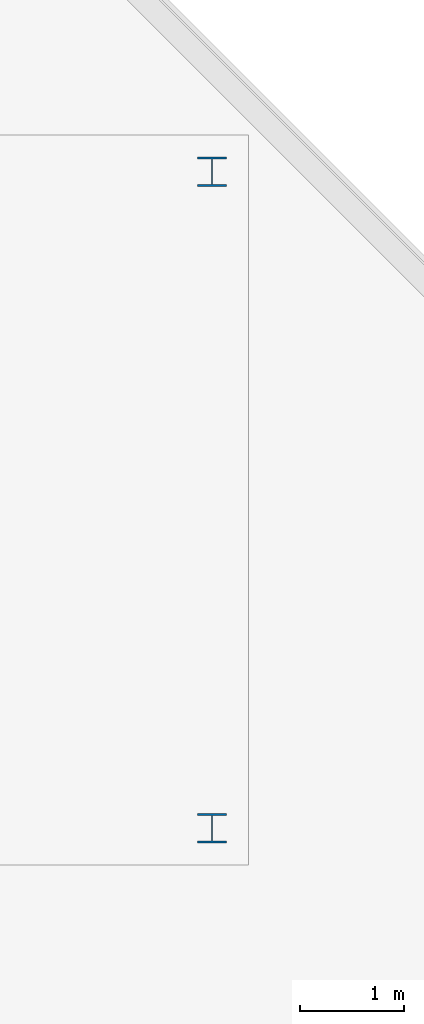
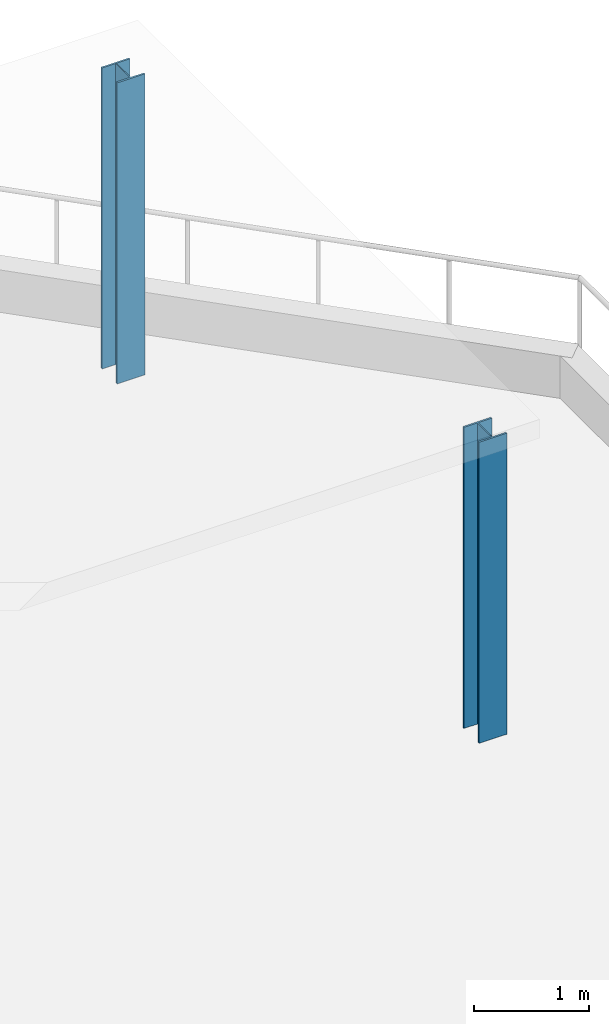
# One storey, part 6 of 23: 2 columns.
"""IFC4 building model written with IfcOpenShell, lengths in metres."""

import ifcopenshell
import ifcopenshell.guid

model = None  # the IFC model being written
_history = None  # IfcOwnerHistory: only IFC2X3 demands one
_inside = {}  # id of a spatial element -> (the spatial element, [elements in it])
_under = {}  # id of a project, library or spatial element -> (it, [spatial elements below it])
_declared = {}  # id of a project -> (the project, [libraries it declares])
_typed = {}  # id of a type object -> (the type object, [elements of that type])
_made_of = {}  # id of a material, layer set ... -> (it, [elements and type objects made of it])


def new_model(schema):
    """Start an empty IFC model of exactly this schema.

    Asked for "IFC4X3", IfcOpenShell would pick the latest addendum, in which some entities
    have other attributes; the version numbers below select the first issue.
    IFC2X3 requires an IfcOwnerHistory on every rooted entity: one is made here for all.
    """
    global model, _history
    if schema == "IFC4X3":
        model = ifcopenshell.file(schema_version=(4, 3, 0, 0))
    else:
        model = ifcopenshell.file(schema=schema)
    _inside.clear()
    _under.clear()
    _declared.clear()
    _typed.clear()
    _made_of.clear()
    _history = None
    if model.schema == "IFC2X3":
        org = make("IfcOrganization", Name="unknown")
        user = make(
            "IfcPersonAndOrganization",
            ThePerson=make("IfcPerson", FamilyName="unknown"),
            TheOrganization=org,
        )
        app = make(
            "IfcApplication",
            ApplicationDeveloper=org,
            Version="unknown",
            ApplicationFullName="unknown",
            ApplicationIdentifier="unknown",
        )
        _history = make(
            "IfcOwnerHistory",
            OwningUser=user,
            OwningApplication=app,
            ChangeAction="ADDED",
            CreationDate=0,
        )
    return model


def make(cls, **values):
    """One entity of the class cls with the attributes given. An attribute that is None is left unset."""
    return model.create_entity(
        cls, **{name: value for name, value in values.items() if value is not None}
    )


def rooted(cls, **values):
    """An entity with a GlobalId (a new one), such as an element, a storey or a relation."""
    return make(cls, GlobalId=ifcopenshell.guid.new(), OwnerHistory=_history, **values)


def si_unit(unit_type, name, prefix=None):
    """IfcSIUnit, for example si_unit("LENGTHUNIT", "METRE", prefix="MILLI")."""
    return make("IfcSIUnit", UnitType=unit_type, Prefix=prefix, Name=name)


def assignment(units):
    """IfcUnitAssignment: the units of a project."""
    return None if units is None else make("IfcUnitAssignment", Units=units)


def point(xyz):
    """IfcCartesianPoint."""
    return None if xyz is None else make("IfcCartesianPoint", Coordinates=xyz)


def direction(xyz):
    """IfcDirection."""
    return None if xyz is None else make("IfcDirection", DirectionRatios=xyz)


def frame(location, z_axis=None, x_axis=None):
    """IfcAxis2Placement3D, a coordinate frame: its origin and axes. An axis left out is left unset."""
    return make(
        "IfcAxis2Placement3D",
        Location=point(location),
        Axis=direction(z_axis),
        RefDirection=direction(x_axis),
    )


def frame_2d(location, x_axis=None):
    """IfcAxis2Placement2D, a coordinate frame in the plane: its origin and x axis."""
    return make(
        "IfcAxis2Placement2D", Location=point(location), RefDirection=direction(x_axis)
    )


def origin():
    """The frame at (0, 0, 0) with its axes left unset."""
    return frame((0.0, 0.0, 0.0))


def origin_2d():
    """The frame at (0, 0) in the plane with its x axis left unset."""
    return frame_2d((0.0, 0.0))


def place(relative_to, where):
    """IfcLocalPlacement: puts the frame where relative to a parent placement (None: the world)."""
    return make(
        "IfcLocalPlacement", PlacementRelTo=relative_to, RelativePlacement=where
    )


def context(
    kind, dimensions, precision=None, world=None, true_north=None, identifier=None
):
    """IfcGeometricRepresentationContext, for example the 3D "Model" context."""
    return make(
        "IfcGeometricRepresentationContext",
        ContextIdentifier=identifier,
        ContextType=kind,
        CoordinateSpaceDimension=dimensions,
        Precision=precision,
        WorldCoordinateSystem=world,
        TrueNorth=true_north,
    )


def subcontext(parent, identifier, kind, view, scale=None):
    """IfcGeometricRepresentationSubContext, for example "Body" below "Model"."""
    return make(
        "IfcGeometricRepresentationSubContext",
        ContextIdentifier=identifier,
        ContextType=kind,
        ParentContext=parent,
        TargetScale=scale,
        TargetView=view,
    )


def project(units=None, contexts=None):
    """IfcProject with its units and contexts."""
    return rooted(
        "IfcProject",
        Name="project",
        RepresentationContexts=contexts,
        UnitsInContext=assignment(units),
    )


def spatial(cls, under=None, at=None, **own):
    """A site, building, storey or space (cls), placed at a placement, below another one or the project."""
    s = rooted(cls, ObjectPlacement=at, **own)
    if under is not None:
        _under.setdefault(under.id(), (under, []))[1].append(s)
    return s


def profile(cls, at=None, kind="AREA", **sizes):
    """A parametric profile (cls). Its sizes go by their IFC names, for example OverallWidth=200.0."""
    return make(cls, ProfileType=kind, Position=at, **sizes)


def i_section(**sizes):
    """IfcIShapeProfileDef."""
    return profile("IfcIShapeProfileDef", **sizes)


def extrude(swept, where, along, depth):
    """IfcExtrudedAreaSolid: the profile swept, set in the frame where, extruded along a direction by depth."""
    return make(
        "IfcExtrudedAreaSolid",
        SweptArea=swept,
        Position=where,
        ExtrudedDirection=direction(along),
        Depth=depth,
    )


def shape(context_of_items, identifier, shape_type, items):
    """IfcShapeRepresentation: the items that make up one representation, for example the "Body"."""
    return make(
        "IfcShapeRepresentation",
        ContextOfItems=context_of_items,
        RepresentationIdentifier=identifier,
        RepresentationType=shape_type,
        Items=items,
    )


def material(Name=None, Category=None):
    """IfcMaterial."""
    return make("IfcMaterial", Name=Name, Category=Category)


def material_profile(
    of_material, cross_section, Name=None, Category=None, Priority=None
):
    """IfcMaterialProfile: a cross section and its material."""
    return make(
        "IfcMaterialProfile",
        Name=Name,
        Material=of_material,
        Profile=cross_section,
        Priority=Priority,
        Category=Category,
    )


def profile_set(profiles, Name=None, composite=None):
    """IfcMaterialProfileSet."""
    return make(
        "IfcMaterialProfileSet",
        Name=Name,
        MaterialProfiles=profiles,
        CompositeProfile=composite,
    )


def made_of(thing, what):
    """Note that an element or type object is made of a material, layer set ...; save() writes the relation."""
    if what is not None:
        _made_of.setdefault(what.id(), (what, []))[1].append(thing)
    return thing


def type_object(cls, material=None, **own):
    """A type object (cls), such as IfcWallType, which elements share."""
    return made_of(rooted(cls, **own), material)


def element(
    cls,
    number,
    at=None,
    inside=None,
    cuts=None,
    type_object=None,
    material=None,
    context=None,
    identifier="Body",
    shape_type=None,
    held_by="IfcProductDefinitionShape",
    body=None,
    shapes=None,
    **own,
):
    """One element of the class cls, such as IfcWall. Its Tag is "e" and its number.

    at: its placement. inside: the storey or other place that contains it. cuts: it is an
    opening in that element (IfcRelVoidsElement). A single representation is given by context,
    identifier, shape_type and body (its items); several are given by shapes. held_by: the class
    of the entity that holds the representations. save() writes the other relations.
    """
    e = rooted(cls, Tag="e%d" % number, ObjectPlacement=at, **own)
    if body is not None:
        shapes = [shape(context, identifier, shape_type, body)]
    if shapes is not None:
        e.Representation = make(held_by, Representations=shapes)
    if inside is not None:
        _inside.setdefault(inside.id(), (inside, []))[1].append(e)
    if cuts is not None:
        rooted(
            "IfcRelVoidsElement", RelatingBuildingElement=cuts, RelatedOpeningElement=e
        )
    if type_object is not None:
        _typed.setdefault(type_object.id(), (type_object, []))[1].append(e)
    return made_of(e, material)


def aggregate(whole, parts):
    """IfcRelAggregates: a whole, such as a stair, and the parts it consists of."""
    return rooted("IfcRelAggregates", RelatingObject=whole, RelatedObjects=parts)


def save(model, path):
    """Write the relations noted so far, then the file.

    IfcRelAggregates (storeys below a building ...), IfcRelContainedInSpatialStructure (elements
    in a storey), IfcRelDefinesByType, IfcRelAssociatesMaterial and IfcRelDeclares: one each for
    every whole, place, type object, material and project.
    """
    for whole, parts in _under.values():
        aggregate(whole, parts)
    for where, things in _inside.values():
        rooted(
            "IfcRelContainedInSpatialStructure",
            RelatedElements=things,
            RelatingStructure=where,
        )
    for kind, things in _typed.values():
        rooted("IfcRelDefinesByType", RelatedObjects=things, RelatingType=kind)
    for what, things in _made_of.values():
        rooted("IfcRelAssociatesMaterial", RelatedObjects=things, RelatingMaterial=what)
    for by, libraries in _declared.values():
        rooted("IfcRelDeclares", RelatingContext=by, RelatedDefinitions=libraries)
    model.write(path)


model = new_model("IFC4")

# Units and contexts
model_context = context("Model", 3, precision=1e-05, world=origin(), true_north=direction((0.0, 1.0)))
body_context = subcontext(model_context, "Body", "Model", "MODEL_VIEW")
ifc_project = project(units=[si_unit("LENGTHUNIT", "METRE"), si_unit("AREAUNIT", "SQUARE_METRE"), si_unit("VOLUMEUNIT", "CUBIC_METRE"), si_unit("PLANEANGLEUNIT", "RADIAN"), si_unit("MASSUNIT", "GRAM", prefix="KILO")], contexts=[model_context])

# Site, building, storey
site_placement = place(None, origin())
site = spatial("IfcSite", under=ifc_project, at=site_placement, CompositionType="ELEMENT")
building_placement = place(site_placement, origin())
building = spatial("IfcBuilding", under=site, at=building_placement, Name="Terralouvre Media Tower", CompositionType="ELEMENT")
storey_placement = place(building_placement, frame((0.0, 0.0, 26.0)))
storey = spatial("IfcBuildingStorey", under=building, at=storey_placement, Name="L05", CompositionType="ELEMENT", Elevation=26.0)

# Columns
ifc_material = material(Name="Structural steel S355J2", Category="steel")
ifc_material_profile = material_profile(ifc_material, i_section(OverallWidth=0.280029296875, OverallDepth=0.280029296875, WebThickness=0.010498046875, FlangeThickness=0.01806640625, at=origin_2d()), Name="HEB 280")
ifc_profile_set = profile_set([ifc_material_profile], Name="Structural steel S355J2")
column_type = type_object("IfcColumnType", Name="Basement Aisle Pilaster PL-HEB280 (HEB 280)", PredefinedType="PILASTER", material=ifc_profile_set)
for number, where, z_axis, x_axis, name in (
    (1, (33.64990234375, 24.35009765625, 0.0), (0.0, 0.0, 1.0), (1.0, 0.0, 0.0), "North-East Garden Pergola Roof Support Post 2"),
    (2, (33.64990234375, 30.64990234375, 0.0), (0.0, 0.0, 1.0), (1.0, 0.0, 0.0), "North-East Garden Pergola Roof Support Post 3"),
):
    element("IfcColumn", number, at=place(storey_placement, frame(where, z_axis=z_axis, x_axis=x_axis)), inside=storey, type_object=column_type, Name=name, PredefinedType="PILASTER", context=body_context, shape_type="SweptSolid", body=[
        extrude(i_section(OverallWidth=0.280029296875, OverallDepth=0.280029296875, WebThickness=0.010498046875, FlangeThickness=0.01806640625, at=origin_2d()), origin(), (0.0, 0.0, 1.0), 3.199951171875),
    ])

save(model, "model.ifc")
